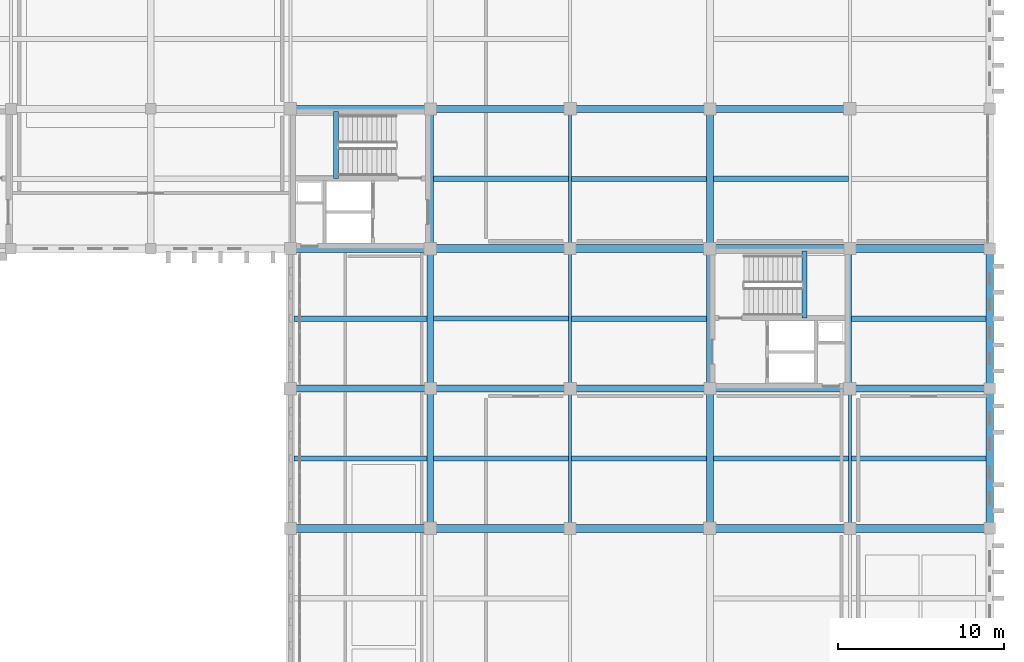
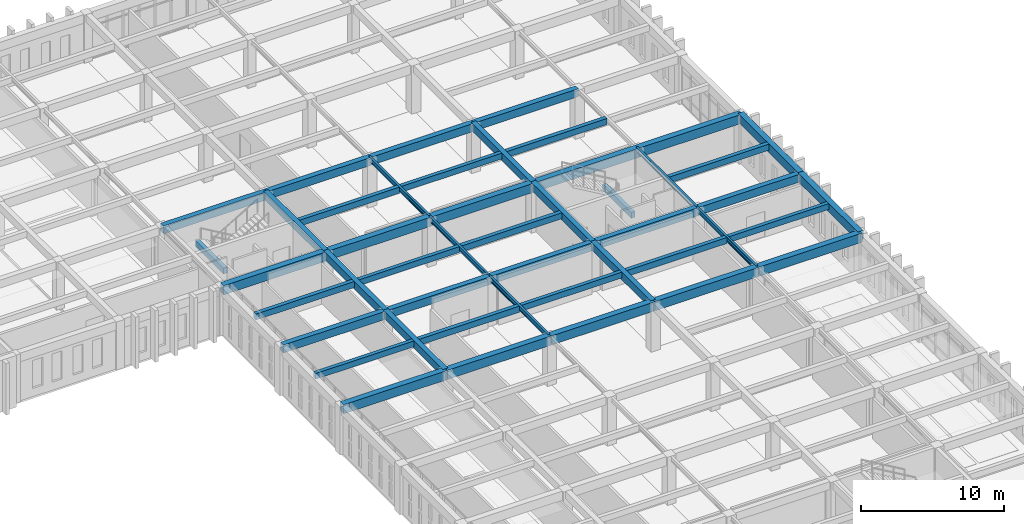
# One storey, part 106 of 192: 46 beams.
"""IFC4 building model written with IfcOpenShell, lengths in metres."""

from ifc_helpers import new_model, si_unit, direction, frame, origin, origin_2d, place, context, subcontext, project, spatial, rectangle, i_section, extrude, material, material_profile, profile_set, type_object, element, save


model = new_model("IFC4")

# Units and contexts
model_context = context("Model", 3, precision=1e-05, world=origin(), true_north=direction((0.0, 1.0)))
body_context = subcontext(model_context, "Body", "Model", "MODEL_VIEW")
ifc_project = project(units=[si_unit("LENGTHUNIT", "METRE"), si_unit("AREAUNIT", "SQUARE_METRE"), si_unit("VOLUMEUNIT", "CUBIC_METRE"), si_unit("PLANEANGLEUNIT", "RADIAN"), si_unit("MASSUNIT", "GRAM", prefix="KILO")], contexts=[model_context])

# Site, building, storey
site_placement = place(None, origin())
site = spatial("IfcSite", under=ifc_project, at=site_placement, CompositionType="ELEMENT")
building_placement = place(site_placement, origin())
building = spatial("IfcBuilding", under=site, at=building_placement, Name="Kveldsbrygga Polytechnic", CompositionType="ELEMENT")
storey_placement = place(building_placement, frame((0.0, 0.0, 5.43994140625)))
storey = spatial("IfcBuildingStorey", under=building, at=storey_placement, Name="L01", CompositionType="ELEMENT", Elevation=5.43994140625)

# Beams
ifc_material_1 = material(Name="Concrete C35/45", Category="concrete")
ifc_material_profile_1 = material_profile(ifc_material_1, rectangle(XDim=0.39990234375, YDim=0.64990234375, at=origin_2d()), Name="RC 400x650")
ifc_profile_set_1 = profile_set([ifc_material_profile_1], Name="Concrete C35/45")
beam_type_1 = type_object("IfcBeamType", Name="BM-RC-400x650", PredefinedType="BEAM", material=ifc_profile_set_1)
beam_1_placement = place(storey_placement, frame((134.39990234375, 67.199951171875, 3.795166015625), z_axis=(0.0, 1.0, 0.0), x_axis=(-1.0, 0.0, 0.0)))
element("IfcBeam", 1, at=beam_1_placement, inside=storey, type_object=beam_type_1, Name="Primary Beam BMY-L01-16-08to09", PredefinedType="BEAM", context=body_context, shape_type="SweptSolid", body=[
    extrude(rectangle(XDim=0.39990234375, YDim=0.64990234375, at=origin_2d()), origin(), (0.0, 0.0, 1.0), 8.400146484375),
])
for number, where, z_axis, x_axis, name in (
    (2, (134.39990234375, 75.60009765625, 3.795166015625), (0.0, 1.0, 0.0), (-1.0, 0.0, 0.0), "Primary Beam BMY-L01-16-09to10"),
    (3, (134.39990234375, 84.0, 3.795166015625), (0.0, 1.0, 0.0), (-1.0, 0.0, 0.0), "Primary Beam BMY-L01-16-10to11"),
):
    element("IfcBeam", number, at=place(storey_placement, frame(where, z_axis=z_axis, x_axis=x_axis)), inside=storey, type_object=beam_type_1, Name=name, PredefinedType="BEAM", context=body_context, shape_type="SweptSolid", body=[
        extrude(rectangle(XDim=0.39990234375, YDim=0.64990234375, at=origin_2d()), origin(), (0.0, 0.0, 1.0), 8.39990234375),
    ])
beam_2_placement = place(storey_placement, frame((151.199951171875, 67.199951171875, 3.795166015625), z_axis=(0.0, 1.0, 0.0), x_axis=(-1.0, 0.0, 0.0)))
element("IfcBeam", 4, at=beam_2_placement, inside=storey, type_object=beam_type_1, Name="Primary Beam BMY-L01-18-08to09", PredefinedType="BEAM", context=body_context, shape_type="SweptSolid", body=[
    extrude(rectangle(XDim=0.39990234375, YDim=0.64990234375, at=origin_2d()), origin(), (0.0, 0.0, 1.0), 8.400146484375),
])
for number, where, z_axis, x_axis, name in (
    (5, (151.199951171875, 75.60009765625, 3.795166015625), (0.0, 1.0, 0.0), (-1.0, 0.0, 0.0), "Primary Beam BMY-L01-18-09to10"),
    (6, (151.199951171875, 84.0, 3.795166015625), (0.0, 1.0, 0.0), (-1.0, 0.0, 0.0), "Primary Beam BMY-L01-18-10to11"),
):
    element("IfcBeam", number, at=place(storey_placement, frame(where, z_axis=z_axis, x_axis=x_axis)), inside=storey, type_object=beam_type_1, Name=name, PredefinedType="BEAM", context=body_context, shape_type="SweptSolid", body=[
        extrude(rectangle(XDim=0.39990234375, YDim=0.64990234375, at=origin_2d()), origin(), (0.0, 0.0, 1.0), 8.39990234375),
    ])
ifc_material_profile_2 = material_profile(ifc_material_1, rectangle(XDim=0.419921875, YDim=0.679931640625, at=origin_2d()), Name="RC 420x680")
ifc_profile_set_2 = profile_set([ifc_material_profile_2], Name="Concrete C35/45")
beam_type_2 = type_object("IfcBeamType", Name="BM-RC-420x680", PredefinedType="BEAM", material=ifc_profile_set_2)
beam_3_placement = place(storey_placement, frame((126.0, 75.60009765625, 3.780029296875), z_axis=(1.0, 0.0, 0.0), x_axis=(0.0, 1.0, 0.0)))
element("IfcBeam", 7, at=beam_3_placement, inside=storey, type_object=beam_type_2, Name="Primary Beam BMX-L01-15to16-09", PredefinedType="BEAM", context=body_context, shape_type="SweptSolid", body=[
    extrude(rectangle(XDim=0.419921875, YDim=0.679931640625, at=origin_2d()), origin(), (0.0, 0.0, 1.0), 8.39990234375),
])
beam_4_placement = place(storey_placement, frame((134.39990234375, 75.60009765625, 3.780029296875), z_axis=(1.0, 0.0, 0.0), x_axis=(0.0, 1.0, 0.0)))
element("IfcBeam", 8, at=beam_4_placement, inside=storey, type_object=beam_type_2, Name="Primary Beam BMX-L01-16to17-09", PredefinedType="BEAM", context=body_context, shape_type="SweptSolid", body=[
    extrude(rectangle(XDim=0.419921875, YDim=0.679931640625, at=origin_2d()), origin(), (0.0, 0.0, 1.0), 8.400146484375),
])
beam_5_placement = place(storey_placement, frame((142.800048828125, 75.60009765625, 3.780029296875), z_axis=(1.0, 0.0, 0.0), x_axis=(0.0, 1.0, 0.0)))
element("IfcBeam", 9, at=beam_5_placement, inside=storey, type_object=beam_type_2, Name="Primary Beam BMX-L01-17to18-09", PredefinedType="BEAM", context=body_context, shape_type="SweptSolid", body=[
    extrude(rectangle(XDim=0.419921875, YDim=0.679931640625, at=origin_2d()), origin(), (0.0, 0.0, 1.0), 8.39990234375),
])
beam_6_placement = place(storey_placement, frame((151.199951171875, 75.60009765625, 3.780029296875), z_axis=(1.0, 0.0, 0.0), x_axis=(0.0, 1.0, 0.0)))
element("IfcBeam", 10, at=beam_6_placement, inside=storey, type_object=beam_type_2, Name="Primary Beam BMX-L01-18to19-09", PredefinedType="BEAM", context=body_context, shape_type="SweptSolid", body=[
    extrude(rectangle(XDim=0.419921875, YDim=0.679931640625, at=origin_2d()), origin(), (0.0, 0.0, 1.0), 8.400146484375),
])
for number, where, z_axis, x_axis, name in (
    (11, (159.60009765625, 75.60009765625, 3.780029296875), (1.0, 0.0, 0.0), (0.0, 1.0, 0.0), "Primary Beam BMX-L01-19to20-09"),
    (12, (126.0, 92.39990234375, 3.780029296875), (1.0, 0.0, 0.0), (0.0, 1.0, 0.0), "Primary Beam BMX-L01-15to16-11"),
):
    element("IfcBeam", number, at=place(storey_placement, frame(where, z_axis=z_axis, x_axis=x_axis)), inside=storey, type_object=beam_type_2, Name=name, PredefinedType="BEAM", context=body_context, shape_type="SweptSolid", body=[
        extrude(rectangle(XDim=0.419921875, YDim=0.679931640625, at=origin_2d()), origin(), (0.0, 0.0, 1.0), 8.39990234375),
    ])
beam_7_placement = place(storey_placement, frame((134.39990234375, 92.39990234375, 3.780029296875), z_axis=(1.0, 0.0, 0.0), x_axis=(0.0, 1.0, 0.0)))
element("IfcBeam", 13, at=beam_7_placement, inside=storey, type_object=beam_type_2, Name="Primary Beam BMX-L01-16to17-11", PredefinedType="BEAM", context=body_context, shape_type="SweptSolid", body=[
    extrude(rectangle(XDim=0.419921875, YDim=0.679931640625, at=origin_2d()), origin(), (0.0, 0.0, 1.0), 8.400146484375),
])
beam_8_placement = place(storey_placement, frame((142.800048828125, 92.39990234375, 3.780029296875), z_axis=(1.0, 0.0, 0.0), x_axis=(0.0, 1.0, 0.0)))
element("IfcBeam", 14, at=beam_8_placement, inside=storey, type_object=beam_type_2, Name="Primary Beam BMX-L01-17to18-11", PredefinedType="BEAM", context=body_context, shape_type="SweptSolid", body=[
    extrude(rectangle(XDim=0.419921875, YDim=0.679931640625, at=origin_2d()), origin(), (0.0, 0.0, 1.0), 8.39990234375),
])
beam_9_placement = place(storey_placement, frame((151.199951171875, 92.39990234375, 3.780029296875), z_axis=(1.0, 0.0, 0.0), x_axis=(0.0, 1.0, 0.0)))
element("IfcBeam", 15, at=beam_9_placement, inside=storey, type_object=beam_type_2, Name="Primary Beam BMX-L01-18to19-11", PredefinedType="BEAM", context=body_context, shape_type="SweptSolid", body=[
    extrude(rectangle(XDim=0.419921875, YDim=0.679931640625, at=origin_2d()), origin(), (0.0, 0.0, 1.0), 8.400146484375),
])
ifc_material_profile_3 = material_profile(ifc_material_1, rectangle(XDim=0.449951171875, YDim=0.75, at=origin_2d()), Name="RC 450x750")
ifc_profile_set_3 = profile_set([ifc_material_profile_3], Name="Concrete C35/45")
beam_type_3 = type_object("IfcBeamType", Name="BM-RC-450x750", PredefinedType="BEAM", material=ifc_profile_set_3)
beam_10_placement = place(storey_placement, frame((168.0, 67.199951171875, 3.7451171875), z_axis=(0.0, 1.0, 0.0), x_axis=(-1.0, 0.0, 0.0)))
element("IfcBeam", 16, at=beam_10_placement, inside=storey, type_object=beam_type_3, Name="Primary Beam BMY-L01-20-08to09", PredefinedType="BEAM", context=body_context, shape_type="SweptSolid", body=[
    extrude(rectangle(XDim=0.449951171875, YDim=0.75, at=origin_2d()), origin(), (0.0, 0.0, 1.0), 8.400146484375),
])
beam_11_placement = place(storey_placement, frame((168.0, 75.60009765625, 3.7451171875), z_axis=(0.0, 1.0, 0.0), x_axis=(-1.0, 0.0, 0.0)))
element("IfcBeam", 17, at=beam_11_placement, inside=storey, type_object=beam_type_3, Name="Primary Beam BMY-L01-20-09to10", PredefinedType="BEAM", context=body_context, shape_type="SweptSolid", body=[
    extrude(rectangle(XDim=0.449951171875, YDim=0.75, at=origin_2d()), origin(), (0.0, 0.0, 1.0), 8.39990234375),
])
ifc_material_profile_4 = material_profile(ifc_material_1, rectangle(XDim=0.47998046875, YDim=0.780029296875, at=origin_2d()), Name="RC 480x780")
ifc_profile_set_4 = profile_set([ifc_material_profile_4], Name="Concrete C35/45")
beam_type_4 = type_object("IfcBeamType", Name="BM-RC-480x780", PredefinedType="BEAM", material=ifc_profile_set_4)
beam_12_placement = place(storey_placement, frame((126.0, 67.199951171875, 3.72998046875), z_axis=(1.0, 0.0, 0.0), x_axis=(0.0, 1.0, 0.0)))
element("IfcBeam", 18, at=beam_12_placement, inside=storey, type_object=beam_type_4, Name="Primary Beam BMX-L01-15to16-08", PredefinedType="BEAM", context=body_context, shape_type="SweptSolid", body=[
    extrude(rectangle(XDim=0.47998046875, YDim=0.780029296875, at=origin_2d()), origin(), (0.0, 0.0, 1.0), 8.39990234375),
])
beam_13_placement = place(storey_placement, frame((134.39990234375, 67.199951171875, 3.72998046875), z_axis=(1.0, 0.0, 0.0), x_axis=(0.0, 1.0, 0.0)))
element("IfcBeam", 19, at=beam_13_placement, inside=storey, type_object=beam_type_4, Name="Primary Beam BMX-L01-16to17-08", PredefinedType="BEAM", context=body_context, shape_type="SweptSolid", body=[
    extrude(rectangle(XDim=0.47998046875, YDim=0.780029296875, at=origin_2d()), origin(), (0.0, 0.0, 1.0), 8.400146484375),
])
beam_14_placement = place(storey_placement, frame((142.800048828125, 67.199951171875, 3.72998046875), z_axis=(1.0, 0.0, 0.0), x_axis=(0.0, 1.0, 0.0)))
element("IfcBeam", 20, at=beam_14_placement, inside=storey, type_object=beam_type_4, Name="Primary Beam BMX-L01-17to18-08", PredefinedType="BEAM", context=body_context, shape_type="SweptSolid", body=[
    extrude(rectangle(XDim=0.47998046875, YDim=0.780029296875, at=origin_2d()), origin(), (0.0, 0.0, 1.0), 8.39990234375),
])
beam_15_placement = place(storey_placement, frame((151.199951171875, 67.199951171875, 3.72998046875), z_axis=(1.0, 0.0, 0.0), x_axis=(0.0, 1.0, 0.0)))
element("IfcBeam", 21, at=beam_15_placement, inside=storey, type_object=beam_type_4, Name="Primary Beam BMX-L01-18to19-08", PredefinedType="BEAM", context=body_context, shape_type="SweptSolid", body=[
    extrude(rectangle(XDim=0.47998046875, YDim=0.780029296875, at=origin_2d()), origin(), (0.0, 0.0, 1.0), 8.400146484375),
])
for number, where, z_axis, x_axis, name in (
    (22, (159.60009765625, 67.199951171875, 3.72998046875), (1.0, 0.0, 0.0), (0.0, 1.0, 0.0), "Primary Beam BMX-L01-19to20-08"),
    (23, (126.0, 84.0, 3.72998046875), (1.0, 0.0, 0.0), (0.0, 1.0, 0.0), "Primary Beam BMX-L01-15to16-10"),
):
    element("IfcBeam", number, at=place(storey_placement, frame(where, z_axis=z_axis, x_axis=x_axis)), inside=storey, type_object=beam_type_4, Name=name, PredefinedType="BEAM", context=body_context, shape_type="SweptSolid", body=[
        extrude(rectangle(XDim=0.47998046875, YDim=0.780029296875, at=origin_2d()), origin(), (0.0, 0.0, 1.0), 8.39990234375),
    ])
beam_16_placement = place(storey_placement, frame((134.39990234375, 84.0, 3.72998046875), z_axis=(1.0, 0.0, 0.0), x_axis=(0.0, 1.0, 0.0)))
element("IfcBeam", 24, at=beam_16_placement, inside=storey, type_object=beam_type_4, Name="Primary Beam BMX-L01-16to17-10", PredefinedType="BEAM", context=body_context, shape_type="SweptSolid", body=[
    extrude(rectangle(XDim=0.47998046875, YDim=0.780029296875, at=origin_2d()), origin(), (0.0, 0.0, 1.0), 8.400146484375),
])
beam_17_placement = place(storey_placement, frame((142.800048828125, 84.0, 3.72998046875), z_axis=(1.0, 0.0, 0.0), x_axis=(0.0, 1.0, 0.0)))
element("IfcBeam", 25, at=beam_17_placement, inside=storey, type_object=beam_type_4, Name="Primary Beam BMX-L01-17to18-10", PredefinedType="BEAM", context=body_context, shape_type="SweptSolid", body=[
    extrude(rectangle(XDim=0.47998046875, YDim=0.780029296875, at=origin_2d()), origin(), (0.0, 0.0, 1.0), 8.39990234375),
])
beam_18_placement = place(storey_placement, frame((151.199951171875, 84.0, 3.72998046875), z_axis=(1.0, 0.0, 0.0), x_axis=(0.0, 1.0, 0.0)))
element("IfcBeam", 26, at=beam_18_placement, inside=storey, type_object=beam_type_4, Name="Primary Beam BMX-L01-18to19-10", PredefinedType="BEAM", context=body_context, shape_type="SweptSolid", body=[
    extrude(rectangle(XDim=0.47998046875, YDim=0.780029296875, at=origin_2d()), origin(), (0.0, 0.0, 1.0), 8.400146484375),
])
beam_19_placement = place(storey_placement, frame((159.60009765625, 84.0, 3.72998046875), z_axis=(1.0, 0.0, 0.0), x_axis=(0.0, 1.0, 0.0)))
element("IfcBeam", 27, at=beam_19_placement, inside=storey, type_object=beam_type_4, Name="Primary Beam BMX-L01-19to20-10", PredefinedType="BEAM", context=body_context, shape_type="SweptSolid", body=[
    extrude(rectangle(XDim=0.47998046875, YDim=0.780029296875, at=origin_2d()), origin(), (0.0, 0.0, 1.0), 8.39990234375),
])
ifc_material_2 = material(Name="Steel S355", Category="steel")
ifc_material_profile_5 = material_profile(ifc_material_2, i_section(OverallWidth=0.179931640625, OverallDepth=0.39990234375, WebThickness=0.008544921875, FlangeThickness=0.013427734375, FilletRadius=0.02099609375, at=origin_2d()), Name="IPE 400")
ifc_profile_set_5 = profile_set([ifc_material_profile_5], Name="Steel S355")
beam_type_5 = type_object("IfcBeamType", Name="BM-STL-IPE400", PredefinedType="BEAM", material=ifc_profile_set_5)
beam_20_placement = place(storey_placement, frame((142.800048828125, 67.199951171875, 3.920166015625), z_axis=(0.0, 1.0, 0.0), x_axis=(-1.0, 0.0, 0.0)))
element("IfcBeam", 28, at=beam_20_placement, inside=storey, type_object=beam_type_5, Name="Primary Beam BMY-L01-17-08to09", PredefinedType="BEAM", context=body_context, shape_type="SweptSolid", body=[
    extrude(i_section(OverallWidth=0.179931640625, OverallDepth=0.39990234375, WebThickness=0.008544921875, FlangeThickness=0.013427734375, FilletRadius=0.02099609375, at=origin_2d()), origin(), (0.0, 0.0, 1.0), 8.400146484375),
])
for number, where, z_axis, x_axis, name in (
    (29, (142.800048828125, 75.60009765625, 3.920166015625), (0.0, 1.0, 0.0), (-1.0, 0.0, 0.0), "Primary Beam BMY-L01-17-09to10"),
    (30, (142.800048828125, 84.0, 3.920166015625), (0.0, 1.0, 0.0), (-1.0, 0.0, 0.0), "Primary Beam BMY-L01-17-10to11"),
):
    element("IfcBeam", number, at=place(storey_placement, frame(where, z_axis=z_axis, x_axis=x_axis)), inside=storey, type_object=beam_type_5, Name=name, PredefinedType="BEAM", context=body_context, shape_type="SweptSolid", body=[
        extrude(i_section(OverallWidth=0.179931640625, OverallDepth=0.39990234375, WebThickness=0.008544921875, FlangeThickness=0.013427734375, FilletRadius=0.02099609375, at=origin_2d()), origin(), (0.0, 0.0, 1.0), 8.39990234375),
    ])
beam_21_placement = place(storey_placement, frame((159.60009765625, 67.199951171875, 3.920166015625), z_axis=(0.0, 1.0, 0.0), x_axis=(-1.0, 0.0, 0.0)))
element("IfcBeam", 31, at=beam_21_placement, inside=storey, type_object=beam_type_5, Name="Primary Beam BMY-L01-19-08to09", PredefinedType="BEAM", context=body_context, shape_type="SweptSolid", body=[
    extrude(i_section(OverallWidth=0.179931640625, OverallDepth=0.39990234375, WebThickness=0.008544921875, FlangeThickness=0.013427734375, FilletRadius=0.02099609375, at=origin_2d()), origin(), (0.0, 0.0, 1.0), 8.400146484375),
])
beam_22_placement = place(storey_placement, frame((159.60009765625, 75.60009765625, 3.920166015625), z_axis=(0.0, 1.0, 0.0), x_axis=(-1.0, 0.0, 0.0)))
element("IfcBeam", 32, at=beam_22_placement, inside=storey, type_object=beam_type_5, Name="Primary Beam BMY-L01-19-09to10", PredefinedType="BEAM", context=body_context, shape_type="SweptSolid", body=[
    extrude(i_section(OverallWidth=0.179931640625, OverallDepth=0.39990234375, WebThickness=0.008544921875, FlangeThickness=0.013427734375, FilletRadius=0.02099609375, at=origin_2d()), origin(), (0.0, 0.0, 1.0), 8.39990234375),
])
ifc_material_profile_6 = material_profile(ifc_material_1, rectangle(XDim=0.300048828125, YDim=0.5, at=origin_2d()), Name="RC 300x500")
ifc_profile_set_6 = profile_set([ifc_material_profile_6], Name="Concrete C35/45")
beam_type_6 = type_object("IfcBeamType", Name="JST-RC-300x500", PredefinedType="JOIST", material=ifc_profile_set_6)
beam_23_placement = place(storey_placement, frame((126.22509765625, 71.39990234375, 3.8701171875), z_axis=(1.0, 0.0, 0.0), x_axis=(0.0, 1.0, 0.0)))
element("IfcBeam", 33, at=beam_23_placement, inside=storey, type_object=beam_type_6, Name="Secondary Joist JST-L01-15-08", PredefinedType="JOIST", context=body_context, shape_type="SweptSolid", body=[
    extrude(rectangle(XDim=0.300048828125, YDim=0.5, at=origin_2d()), origin(), (0.0, 0.0, 1.0), 7.974853515625),
])
beam_24_placement = place(storey_placement, frame((134.60009765625, 79.800048828125, 3.8701171875), z_axis=(1.0, 0.0, 0.0), x_axis=(0.0, 1.0, 0.0)))
element("IfcBeam", 34, at=beam_24_placement, inside=storey, type_object=beam_type_6, Name="Secondary Joist JST-L01-16-09", PredefinedType="JOIST", context=body_context, shape_type="SweptSolid", body=[
    extrude(rectangle(XDim=0.300048828125, YDim=0.5, at=origin_2d()), origin(), (0.0, 0.0, 1.0), 8.10986328125),
])
for number, where, z_axis, x_axis, name in (
    (35, (142.889892578125, 71.39990234375, 3.8701171875), (1.0, 0.0, 0.0), (0.0, 1.0, 0.0), "Secondary Joist JST-L01-17-08"),
    (36, (142.889892578125, 88.199951171875, 3.8701171875), (1.0, 0.0, 0.0), (0.0, 1.0, 0.0), "Secondary Joist JST-L01-17-10"),
):
    element("IfcBeam", number, at=place(storey_placement, frame(where, z_axis=z_axis, x_axis=x_axis)), inside=storey, type_object=beam_type_6, Name=name, PredefinedType="JOIST", context=body_context, shape_type="SweptSolid", body=[
        extrude(rectangle(XDim=0.300048828125, YDim=0.5, at=origin_2d()), origin(), (0.0, 0.0, 1.0), 8.110107421875),
    ])
beam_25_placement = place(storey_placement, frame((159.68994140625, 71.39990234375, 3.8701171875), z_axis=(1.0, 0.0, 0.0), x_axis=(0.0, 1.0, 0.0)))
element("IfcBeam", 37, at=beam_25_placement, inside=storey, type_object=beam_type_6, Name="Secondary Joist JST-L01-19-08", PredefinedType="JOIST", context=body_context, shape_type="SweptSolid", body=[
    extrude(rectangle(XDim=0.300048828125, YDim=0.5, at=origin_2d()), origin(), (0.0, 0.0, 1.0), 8.0849609375),
])
ifc_material_profile_7 = material_profile(ifc_material_1, rectangle(XDim=0.320068359375, YDim=0.52001953125, at=origin_2d()), Name="RC 320x520")
ifc_profile_set_7 = profile_set([ifc_material_profile_7], Name="Concrete C35/45")
beam_type_7 = type_object("IfcBeamType", Name="JST-RC-320x520", PredefinedType="JOIST", material=ifc_profile_set_7)
beam_26_placement = place(storey_placement, frame((126.22509765625, 79.800048828125, 3.860107421875), z_axis=(1.0, 0.0, 0.0), x_axis=(0.0, 1.0, 0.0)))
element("IfcBeam", 38, at=beam_26_placement, inside=storey, type_object=beam_type_7, Name="Secondary Joist JST-L01-15-09", PredefinedType="JOIST", context=body_context, shape_type="SweptSolid", body=[
    extrude(rectangle(XDim=0.320068359375, YDim=0.52001953125, at=origin_2d()), origin(), (0.0, 0.0, 1.0), 7.974853515625),
])
for number, where, z_axis, x_axis, name in (
    (39, (134.60009765625, 71.39990234375, 3.860107421875), (1.0, 0.0, 0.0), (0.0, 1.0, 0.0), "Secondary Joist JST-L01-16-08"),
    (40, (134.60009765625, 88.199951171875, 3.860107421875), (1.0, 0.0, 0.0), (0.0, 1.0, 0.0), "Secondary Joist JST-L01-16-10"),
):
    element("IfcBeam", number, at=place(storey_placement, frame(where, z_axis=z_axis, x_axis=x_axis)), inside=storey, type_object=beam_type_7, Name=name, PredefinedType="JOIST", context=body_context, shape_type="SweptSolid", body=[
        extrude(rectangle(XDim=0.320068359375, YDim=0.52001953125, at=origin_2d()), origin(), (0.0, 0.0, 1.0), 8.10986328125),
    ])
for number, where, z_axis, x_axis, name in (
    (41, (142.889892578125, 79.800048828125, 3.860107421875), (1.0, 0.0, 0.0), (0.0, 1.0, 0.0), "Secondary Joist JST-L01-17-09"),
    (42, (151.39990234375, 71.39990234375, 3.860107421875), (1.0, 0.0, 0.0), (0.0, 1.0, 0.0), "Secondary Joist JST-L01-18-08"),
    (43, (151.39990234375, 88.199951171875, 3.860107421875), (1.0, 0.0, 0.0), (0.0, 1.0, 0.0), "Secondary Joist JST-L01-18-10"),
):
    element("IfcBeam", number, at=place(storey_placement, frame(where, z_axis=z_axis, x_axis=x_axis)), inside=storey, type_object=beam_type_7, Name=name, PredefinedType="JOIST", context=body_context, shape_type="SweptSolid", body=[
        extrude(rectangle(XDim=0.320068359375, YDim=0.52001953125, at=origin_2d()), origin(), (0.0, 0.0, 1.0), 8.110107421875),
    ])
beam_27_placement = place(storey_placement, frame((159.68994140625, 79.800048828125, 3.860107421875), z_axis=(1.0, 0.0, 0.0), x_axis=(0.0, 1.0, 0.0)))
element("IfcBeam", 44, at=beam_27_placement, inside=storey, type_object=beam_type_7, Name="Secondary Joist JST-L01-19-09", PredefinedType="JOIST", context=body_context, shape_type="SweptSolid", body=[
    extrude(rectangle(XDim=0.320068359375, YDim=0.52001953125, at=origin_2d()), origin(), (0.0, 0.0, 1.0), 8.0849609375),
])
ifc_material_profile_8 = material_profile(ifc_material_1, rectangle(XDim=0.300048828125, YDim=0.5, at=origin_2d()), Name="RC 300x500")
ifc_profile_set_8 = profile_set([ifc_material_profile_8], Name="Concrete C35/45")
beam_type_8 = type_object("IfcBeamType", Name="LNT-RC-300x500", PredefinedType="LINTEL", material=ifc_profile_set_8)
for number, where, z_axis, x_axis, name in (
    (45, (128.719970703125, 88.22998046875, 1.760009765625), (0.0, 1.0, 0.0), (-1.0, 0.0, 0.0), "Stair Landing Support Beam C2-L01-LNDB-1-1"),
    (46, (156.8798828125, 79.830078125, 1.760009765625), (0.0, 1.0, 0.0), (-1.0, 0.0, 0.0), "Stair Landing Support Beam C4-L01-LNDB-1-1"),
):
    element("IfcBeam", number, at=place(storey_placement, frame(where, z_axis=z_axis, x_axis=x_axis)), inside=storey, type_object=beam_type_8, Name=name, PredefinedType="LINTEL", context=body_context, shape_type="SweptSolid", body=[
        extrude(rectangle(XDim=0.300048828125, YDim=0.5, at=origin_2d()), origin(), (0.0, 0.0, 1.0), 4.02001953125),
    ])

save(model, "model.ifc")
